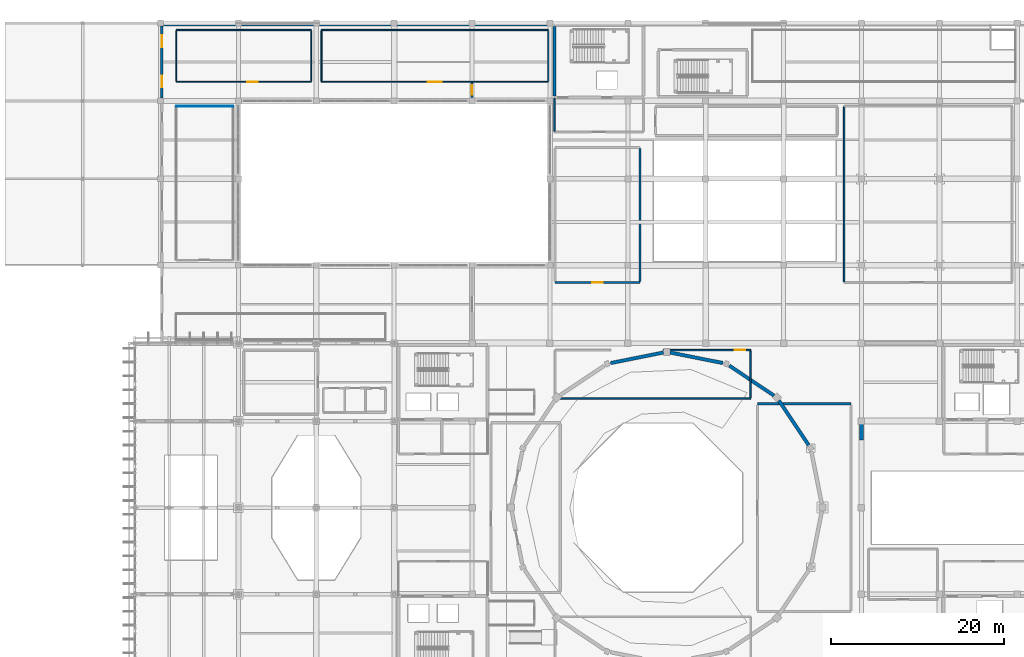
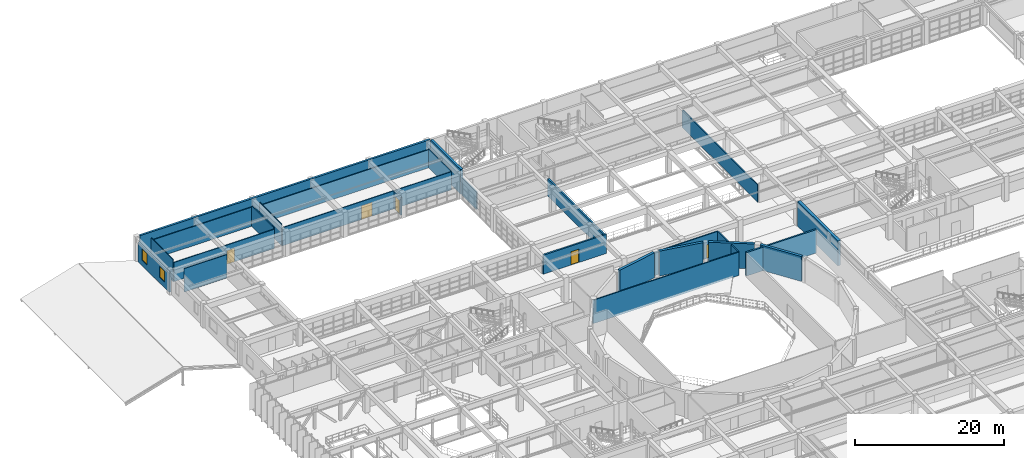
# One storey, part 114 of 130: 26 walls, 5 doors, 2 windows, 7 openings.
"""IFC4 building model written with IfcOpenShell, lengths in metres."""

from ifc_helpers import new_model, si_unit, direction, frame, frame_2d, origin, place, context, subcontext, project, spatial, rectangle, extrude, material, layer, layer_set, type_object, element, fill, save


model = new_model("IFC4")

# Units and contexts
model_context = context("Model", 3, precision=1e-05, world=origin(), true_north=direction((0.0, 1.0)))
body_context = subcontext(model_context, "Body", "Model", "MODEL_VIEW")
ifc_project = project(units=[si_unit("LENGTHUNIT", "METRE"), si_unit("AREAUNIT", "SQUARE_METRE"), si_unit("VOLUMEUNIT", "CUBIC_METRE"), si_unit("PLANEANGLEUNIT", "RADIAN"), si_unit("MASSUNIT", "GRAM", prefix="KILO")], contexts=[model_context])

# Site, building, storey
site_placement = place(None, origin())
site = spatial("IfcSite", under=ifc_project, at=site_placement, CompositionType="ELEMENT")
building_placement = place(site_placement, origin())
building = spatial("IfcBuilding", under=site, at=building_placement, Name="Miravela Opera House", CompositionType="ELEMENT")
storey_placement = place(building_placement, frame((0.0, 0.0, 9.52001953125)))
storey = spatial("IfcBuildingStorey", under=building, at=storey_placement, Name="L02", CompositionType="ELEMENT", Elevation=9.52001953125)

# Wall, openings, windows
ifc_material_1 = material(Name="Insulated cream lime-stuccoed masonry", Category="masonry")
ifc_layer_1 = layer(ifc_material_1, 0.2900390625)
ifc_layer_set_1 = layer_set([ifc_layer_1])
wall_type_1 = type_object("IfcWallType", Name="ARC-EW-STUCCO-290", PredefinedType="STANDARD", material=ifc_layer_set_1)
wall_1_placement = place(storey_placement, frame((18.14990234375, 103.324951171875, 0.0), z_axis=(0.0, 0.0, 1.0), x_axis=(0.0, 1.0, 0.0)))
wall_1 = element("IfcWall", 1, at=wall_1_placement, inside=storey, type_object=wall_type_1, Name="Spanish Colonial Stucco Facade Wall L02-029", PredefinedType="STANDARD", context=body_context, shape_type="SweptSolid", body=[
    extrude(rectangle(XDim=8.35009765625, YDim=0.2900390625, at=frame_2d((4.175048828125, 0.0))), origin(), (0.0, 0.0, 1.0), 3.169921875),
])
opening_1_placement = place(wall_1_placement, frame((1.22509765625, 0.0, 0.89990234375)))
opening_1 = element("IfcOpeningElement", 2, at=opening_1_placement, cuts=wall_1, Name="Opening W-16", PredefinedType="OPENING", context=body_context, shape_type="SweptSolid", body=[
    extrude(rectangle(XDim=1.35009765625, YDim=1.85009765625, at=frame_2d((0.675048828125, 0.925048828125))), frame((0.0, 0.155029296875, 0.0), z_axis=(0.0, -1.0, 0.0), x_axis=(1.0, 0.0, 0.0)), (0.0, 0.0, 1.0), 0.31005859375),
])
opening_2_placement = place(wall_1_placement, frame((5.89990234375, 0.0, 0.89990234375)))
opening_2 = element("IfcOpeningElement", 3, at=opening_2_placement, cuts=wall_1, Name="Opening W-16", PredefinedType="OPENING", context=body_context, shape_type="SweptSolid", body=[
    extrude(rectangle(XDim=1.35009765625, YDim=1.85009765625, at=frame_2d((0.675048828125, 0.925048828125))), frame((0.0, 0.155029296875, 0.0), z_axis=(0.0, -1.0, 0.0), x_axis=(1.0, 0.0, 0.0)), (0.0, 0.0, 1.0), 0.31005859375),
])
ifc_material_2 = material(Name="Bronze-anodised aluminium and acoustic low-E glass", Category="aluminium")
window_type = type_object("IfcWindowType", Name="ARC-WIN-16", PartitioningType="SINGLE_PANEL", PredefinedType="WINDOW", material=ifc_material_2)
window_1_placement = place(opening_1_placement, origin())
window_1 = element("IfcWindow", 4, at=window_1_placement, inside=storey, type_object=window_type, Name="Window W-16 #081", OverallHeight=1.85009765625, OverallWidth=1.35009765625, PartitioningType="SINGLE_PANEL", PredefinedType="WINDOW", context=body_context, shape_type="SweptSolid", body=[
    extrude(rectangle(XDim=1.35009765625, YDim=1.85009765625, at=frame_2d((0.675048828125, 0.925048828125))), frame((0.0, 0.030029296875, 0.0), z_axis=(0.0, -1.0, 0.0), x_axis=(1.0, 0.0, 0.0)), (0.0, 0.0, 1.0), 0.06005859375),
])
fill(opening_1, window_1)
window_2_placement = place(opening_2_placement, origin())
window_2 = element("IfcWindow", 5, at=window_2_placement, inside=storey, type_object=window_type, Name="Window W-16 #082", OverallHeight=1.85009765625, OverallWidth=1.35009765625, PartitioningType="SINGLE_PANEL", PredefinedType="WINDOW", context=body_context, shape_type="SweptSolid", body=[
    extrude(rectangle(XDim=1.35009765625, YDim=1.85009765625, at=frame_2d((0.675048828125, 0.925048828125))), frame((0.0, 0.030029296875, 0.0), z_axis=(0.0, -1.0, 0.0), x_axis=(1.0, 0.0, 0.0)), (0.0, 0.0, 1.0), 0.06005859375),
])
fill(opening_2, window_2)

# Wall
ifc_material_3 = material(Name="Double-layer acoustic gypsum partition")
ifc_layer_2 = layer(ifc_material_3, 0.110107421875)
ifc_layer_set_2 = layer_set([ifc_layer_2])
wall_type_2 = type_object("IfcWallType", Name="ARC-PT-110", PredefinedType="PARTITIONING", material=ifc_layer_set_2)
wall_2_placement = place(storey_placement, frame((19.800048828125, 102.39990234375, 0.0), z_axis=(0.0, 0.0, 1.0), x_axis=(1.0, 0.0, 0.0)))
element("IfcWall", 6, at=wall_2_placement, inside=storey, type_object=wall_type_2, Name="Harp and Keyboard Practice Studio Partition North", PredefinedType="PARTITIONING", context=body_context, shape_type="SweptSolid", body=[
    extrude(rectangle(XDim=6.599853515625, YDim=0.110107421875, at=frame_2d((3.2998046875, 0.0))), origin(), (0.0, 0.0, 1.0), 3.840087890625),
])

# Wall, opening, door
ifc_material_4 = material(Name="Fire-rated acoustic gypsum partition")
ifc_layer_3 = layer(ifc_material_4, 0.1298828125)
ifc_layer_set_3 = layer_set([ifc_layer_3])
wall_type_3 = type_object("IfcWallType", Name="ARC-PT-130", PredefinedType="PARTITIONING", material=ifc_layer_set_3)
wall_3_placement = place(storey_placement, frame((36.60009765625, 105.199951171875, 0.0), z_axis=(0.0, 0.0, 1.0), x_axis=(1.0, 0.0, 0.0)))
wall_3 = element("IfcWall", 7, at=wall_3_placement, inside=storey, type_object=wall_type_3, Name="Orchestra Rehearsal Hall Partition South", PredefinedType="PARTITIONING", context=body_context, shape_type="SweptSolid", body=[
    extrude(rectangle(XDim=26.199951171875, YDim=0.1298828125, at=frame_2d((13.10009765625, 0.0))), origin(), (0.0, 0.0, 1.0), 2.969970703125),
])
opening_3_placement = place(wall_3_placement, frame((12.300048828125, 0.0, 0.0)))
opening_3 = element("IfcOpeningElement", 8, at=opening_3_placement, cuts=wall_3, Name="Opening FD-04", PredefinedType="OPENING", context=body_context, shape_type="SweptSolid", body=[
    extrude(rectangle(XDim=1.60009765625, YDim=2.25, at=frame_2d((0.800048828125, 1.125))), frame((0.0, 0.074951171875, 0.0), z_axis=(0.0, -1.0, 0.0), x_axis=(1.0, 0.0, 0.0)), (0.0, 0.0, 1.0), 0.14990234375),
])
ifc_material_5 = material(Name="Fire-rated rehearsal/vomitory double door")
door_type_1 = type_object("IfcDoorType", Name="ARC-FD-1600X2250", OperationType="NOTDEFINED", PredefinedType="DOOR", material=ifc_material_5)
door_1_placement = place(opening_3_placement, origin())
door_1 = element("IfcDoor", 9, at=door_1_placement, inside=storey, type_object=door_type_1, Name="Orchestra Rehearsal Hall Entry Door IDR-L02-0229", OperationType="DOUBLE_DOOR_SINGLE_SWING", OverallHeight=2.25, OverallWidth=1.60009765625, PredefinedType="DOOR", context=body_context, shape_type="SweptSolid", body=[
    extrude(rectangle(XDim=1.60009765625, YDim=2.25, at=frame_2d((0.800048828125, 1.125))), frame((0.0, 0.02490234375, 0.0), z_axis=(0.0, -1.0, 0.0), x_axis=(1.0, 0.0, 0.0)), (0.0, 0.0, 1.0), 0.050048828125),
])
fill(opening_3, door_1)

# Walls
wall_4_placement = place(storey_placement, frame((36.60009765625, 111.199951171875, 0.0), z_axis=(0.0, 0.0, 1.0), x_axis=(1.0, 0.0, 0.0)))
element("IfcWall", 10, at=wall_4_placement, inside=storey, type_object=wall_type_3, Name="Orchestra Rehearsal Hall Partition North", PredefinedType="PARTITIONING", context=body_context, shape_type="SweptSolid", body=[
    extrude(rectangle(XDim=26.199951171875, YDim=0.1298828125, at=frame_2d((13.10009765625, 0.0))), origin(), (0.0, 0.0, 1.0), 2.969970703125),
])
wall_5_placement = place(storey_placement, frame((36.60009765625, 105.264892578125, 0.0), z_axis=(0.0, 0.0, 1.0), x_axis=(0.0, 1.0, 0.0)))
element("IfcWall", 11, at=wall_5_placement, inside=storey, type_object=wall_type_3, Name="Orchestra Rehearsal Hall Partition West", PredefinedType="PARTITIONING", context=body_context, shape_type="SweptSolid", body=[
    extrude(rectangle(XDim=5.8701171875, YDim=0.1298828125, at=frame_2d((2.93505859375, 0.0))), origin(), (0.0, 0.0, 1.0), 3.511962890625),
])
wall_6_placement = place(storey_placement, frame((62.800048828125, 105.264892578125, 0.0), z_axis=(0.0, 0.0, 1.0), x_axis=(0.0, 1.0, 0.0)))
element("IfcWall", 12, at=wall_6_placement, inside=storey, type_object=wall_type_3, Name="Orchestra Rehearsal Hall Partition East", PredefinedType="PARTITIONING", context=body_context, shape_type="SweptSolid", body=[
    extrude(rectangle(XDim=5.8701171875, YDim=0.1298828125, at=frame_2d((2.93505859375, 0.0))), origin(), (0.0, 0.0, 1.0), 3.119873046875),
])

# Wall, opening, door
wall_7_placement = place(storey_placement, frame((19.800048828125, 105.199951171875, 0.0), z_axis=(0.0, 0.0, 1.0), x_axis=(1.0, 0.0, 0.0)))
wall_7 = element("IfcWall", 13, at=wall_7_placement, inside=storey, type_object=wall_type_3, Name="Production Technical Office Suite Partition South", PredefinedType="PARTITIONING", context=body_context, shape_type="SweptSolid", body=[
    extrude(rectangle(XDim=15.599853515625, YDim=0.1298828125, at=frame_2d((7.7998046875, 0.0))), origin(), (0.0, 0.0, 1.0), 3.139892578125),
])
opening_4_placement = place(wall_7_placement, frame((8.217041015625, 0.0, 0.0)))
opening_4 = element("IfcOpeningElement", 14, at=opening_4_placement, cuts=wall_7, Name="Opening ID-04", PredefinedType="OPENING", context=body_context, shape_type="SweptSolid", body=[
    extrude(rectangle(XDim=1.199951171875, YDim=2.199951171875, at=frame_2d((0.60009765625, 1.10009765625))), frame((0.0, 0.074951171875, 0.0), z_axis=(0.0, -1.0, 0.0), x_axis=(1.0, 0.0, 0.0)), (0.0, 0.0, 1.0), 0.14990234375),
])
ifc_material_6 = material(Name="Wide acoustic ensemble door")
door_type_2 = type_object("IfcDoorType", Name="ARC-DR-1200X2200", OperationType="NOTDEFINED", PredefinedType="DOOR", material=ifc_material_6)
door_2_placement = place(opening_4_placement, origin())
door_2 = element("IfcDoor", 15, at=door_2_placement, inside=storey, type_object=door_type_2, Name="Production Technical Office Suite Entry Door IDR-L02-0256", OperationType="SINGLE_SWING_RIGHT", OverallHeight=2.199951171875, OverallWidth=1.199951171875, PredefinedType="DOOR", context=body_context, shape_type="SweptSolid", body=[
    extrude(rectangle(XDim=1.199951171875, YDim=2.199951171875, at=frame_2d((0.60009765625, 1.10009765625))), frame((0.0, 0.02490234375, 0.0), z_axis=(0.0, -1.0, 0.0), x_axis=(1.0, 0.0, 0.0)), (0.0, 0.0, 1.0), 0.050048828125),
])
fill(opening_4, door_2)

# Walls
wall_8_placement = place(storey_placement, frame((19.800048828125, 111.199951171875, 0.0), z_axis=(0.0, 0.0, 1.0), x_axis=(1.0, 0.0, 0.0)))
element("IfcWall", 16, at=wall_8_placement, inside=storey, type_object=wall_type_3, Name="Production Technical Office Suite Partition North", PredefinedType="PARTITIONING", context=body_context, shape_type="SweptSolid", body=[
    extrude(rectangle(XDim=15.599853515625, YDim=0.1298828125, at=frame_2d((7.7998046875, 0.0))), origin(), (0.0, 0.0, 1.0), 3.139892578125),
])
wall_9_placement = place(storey_placement, frame((19.800048828125, 105.264892578125, 0.0), z_axis=(0.0, 0.0, 1.0), x_axis=(0.0, 1.0, 0.0)))
element("IfcWall", 17, at=wall_9_placement, inside=storey, type_object=wall_type_3, Name="Production Technical Office Suite Partition West", PredefinedType="PARTITIONING", context=body_context, shape_type="SweptSolid", body=[
    extrude(rectangle(XDim=5.8701171875, YDim=0.1298828125, at=frame_2d((2.93505859375, 0.0))), origin(), (0.0, 0.0, 1.0), 3.56689453125),
])
wall_10_placement = place(storey_placement, frame((35.39990234375, 105.264892578125, 0.0), z_axis=(0.0, 0.0, 1.0), x_axis=(0.0, 1.0, 0.0)))
element("IfcWall", 18, at=wall_10_placement, inside=storey, type_object=wall_type_3, Name="Production Technical Office Suite Partition East", PredefinedType="PARTITIONING", context=body_context, shape_type="SweptSolid", body=[
    extrude(rectangle(XDim=5.8701171875, YDim=0.1298828125, at=frame_2d((2.93505859375, 0.0))), origin(), (0.0, 0.0, 1.0), 3.35986328125),
])
ifc_material_7 = material(Name="Rehearsal isolated acoustic partition")
ifc_layer_4 = layer(ifc_material_7, 0.169921875)
ifc_layer_set_4 = layer_set([ifc_layer_4])
wall_type_4 = type_object("IfcWallType", Name="ARC-PT-170", PredefinedType="PARTITIONING", material=ifc_layer_set_4)
wall_11_placement = place(storey_placement, frame((63.5, 99.485107421875, 0.0), z_axis=(0.0, 0.0, 1.0), x_axis=(0.0, 1.0, 0.0)))
element("IfcWall", 19, at=wall_11_placement, inside=storey, type_object=wall_type_4, Name="Passenger Lift Lobby K5 L02 Partition West", PredefinedType="PARTITIONING", context=body_context, shape_type="SweptSolid", body=[
    extrude(rectangle(XDim=3.829833984375, YDim=0.169921875, at=frame_2d((1.9150390625, 0.0))), origin(), (0.0, 0.0, 1.0), 2.820068359375),
])
wall_12_placement = place(storey_placement, frame((97.0, 82.0849609375, 0.0), z_axis=(0.0, 0.0, 1.0), x_axis=(0.0, 1.0, 0.0)))
element("IfcWall", 20, at=wall_12_placement, inside=storey, type_object=wall_type_4, Name="Studio Balcony Seating Tier Partition West", PredefinedType="PARTITIONING", context=body_context, shape_type="SweptSolid", body=[
    extrude(rectangle(XDim=20.22998046875, YDim=0.169921875, at=frame_2d((10.114990234375, 0.0))), origin(), (0.0, 0.0, 1.0), 2.820068359375),
])
wall_13_placement = place(storey_placement, frame((63.60009765625, 68.60009765625, 0.0), z_axis=(0.0, 0.0, 1.0), x_axis=(1.0, 0.0, 0.0)))
element("IfcWall", 21, at=wall_13_placement, inside=storey, type_object=wall_type_4, Name="Principal Musician Ensemble Dressing Rooms Partition South", PredefinedType="PARTITIONING", context=body_context, shape_type="SweptSolid", body=[
    extrude(rectangle(XDim=22.599853515625, YDim=0.169921875, at=frame_2d((11.2998046875, 0.0))), origin(), (0.0, 0.0, 1.0), 3.840087890625),
])

# Wall, opening, door
wall_14_placement = place(storey_placement, frame((76.107666015625, 74.199951171875, 0.0), z_axis=(0.0, 0.0, 1.0), x_axis=(1.0, 0.0, 0.0)))
wall_14 = element("IfcWall", 22, at=wall_14_placement, inside=storey, type_object=wall_type_4, Name="Principal Musician Ensemble Dressing Rooms Partition North 2", PredefinedType="PARTITIONING", context=body_context, shape_type="SweptSolid", body=[
    extrude(rectangle(XDim=10.09228515625, YDim=0.169921875, at=frame_2d((5.046142578125, 0.0))), origin(), (0.0, 0.0, 1.0), 3.840087890625),
])
opening_5_placement = place(wall_14_placement, frame((8.27099609375, 0.0, 0.0)))
opening_5 = element("IfcOpeningElement", 23, at=opening_5_placement, cuts=wall_14, Name="Opening ID-04", PredefinedType="OPENING", context=body_context, shape_type="SweptSolid", body=[
    extrude(rectangle(XDim=1.199951171875, YDim=2.199951171875, at=frame_2d((0.60009765625, 1.10009765625))), frame((0.0, 0.094970703125, 0.0), z_axis=(0.0, -1.0, 0.0), x_axis=(1.0, 0.0, 0.0)), (0.0, 0.0, 1.0), 0.18994140625),
])
door_3_placement = place(opening_5_placement, origin())
door_3 = element("IfcDoor", 24, at=door_3_placement, inside=storey, type_object=door_type_2, Name="Principal Musician Ensemble Dressing Rooms Entry Door IDR-L02-0249", OperationType="SINGLE_SWING_LEFT", OverallHeight=2.199951171875, OverallWidth=1.199951171875, PredefinedType="DOOR", context=body_context, shape_type="SweptSolid", body=[
    extrude(rectangle(XDim=1.199951171875, YDim=2.199951171875, at=frame_2d((0.60009765625, 1.10009765625))), frame((0.0, 0.02490234375, 0.0), z_axis=(0.0, -1.0, 0.0), x_axis=(1.0, 0.0, 0.0)), (0.0, 0.0, 1.0), 0.050048828125),
])
fill(opening_5, door_3)

# Wall
wall_15_placement = place(storey_placement, frame((86.199951171875, 68.68505859375, 0.0), z_axis=(0.0, 0.0, 1.0), x_axis=(0.0, 1.0, 0.0)))
element("IfcWall", 25, at=wall_15_placement, inside=storey, type_object=wall_type_4, Name="Principal Musician Ensemble Dressing Rooms Partition East", PredefinedType="PARTITIONING", context=body_context, shape_type="SweptSolid", body=[
    extrude(rectangle(XDim=5.429931640625, YDim=0.169921875, at=frame_2d((2.71484375, 0.0))), origin(), (0.0, 0.0, 1.0), 3.840087890625),
])

# Wall, opening, door
ifc_material_8 = material(Name="Corridor fire-resisting masonry partition", Category="masonry")
ifc_layer_5 = layer(ifc_material_8, 0.18994140625)
ifc_layer_set_5 = layer_set([ifc_layer_5])
wall_type_5 = type_object("IfcWallType", Name="ARC-PT-190", PredefinedType="PARTITIONING", material=ifc_layer_set_5)
wall_16_placement = place(storey_placement, frame((54.0, 103.3798828125, 0.0), z_axis=(0.0, 0.0, 1.0), x_axis=(0.0, 1.0, 0.0)))
wall_16 = element("IfcWall", 26, at=wall_16_placement, inside=storey, type_object=wall_type_5, Name="Corridor Fire Smoke Compartment Partition PT-SMOKE-L02-0965", PredefinedType="PARTITIONING", context=body_context, shape_type="SweptSolid", body=[
    extrude(rectangle(XDim=1.740234375, YDim=0.18994140625, at=frame_2d((0.8701171875, 0.0))), origin(), (0.0, 0.0, 1.0), 2.919921875),
])
opening_6_placement = place(wall_16_placement, frame((0.320068359375, 0.0, 0.0)))
opening_6 = element("IfcOpeningElement", 27, at=opening_6_placement, cuts=wall_16, Name="Opening FD-01", PredefinedType="OPENING", context=body_context, shape_type="SweptSolid", body=[
    extrude(rectangle(XDim=1.10009765625, YDim=2.199951171875, at=frame_2d((0.550048828125, 1.10009765625))), frame((0.0, 0.10498046875, 0.0), z_axis=(0.0, -1.0, 0.0), x_axis=(1.0, 0.0, 0.0)), (0.0, 0.0, 1.0), 0.2099609375),
])
ifc_material_9 = material(Name="Fire-rated steel/hardwood exit stair door", Category="steel")
door_type_3 = type_object("IfcDoorType", Name="ARC-FD-1100X2200", OperationType="NOTDEFINED", PredefinedType="DOOR", material=ifc_material_9)
door_4_placement = place(opening_6_placement, frame((1.10009765625, 0.0, 0.0), z_axis=(0.0, 0.0, 1.0), x_axis=(-1.0, 0.0, 0.0)))
door_4 = element("IfcDoor", 28, at=door_4_placement, inside=storey, type_object=door_type_3, Name="Corridor Smoke Compartment Door 09 IDR-L02-0355", OperationType="SINGLE_SWING_LEFT", OverallHeight=2.199951171875, OverallWidth=1.10009765625, PredefinedType="DOOR", context=body_context, shape_type="SweptSolid", body=[
    extrude(rectangle(XDim=1.10009765625, YDim=2.199951171875, at=frame_2d((0.550048828125, 1.10009765625))), frame((0.0, 0.02490234375, 0.0), z_axis=(0.0, -1.0, 0.0), x_axis=(1.0, 0.0, 0.0)), (0.0, 0.0, 1.0), 0.050048828125),
])
fill(opening_6, door_4)

# Wall
ifc_material_10 = material(Name="Firefighting lobby compartment wall")
ifc_layer_6 = layer(ifc_material_10, 0.25)
ifc_layer_set_6 = layer_set([ifc_layer_6])
wall_type_6 = type_object("IfcWallType", Name="ARC-PT-220", PredefinedType="PARTITIONING", material=ifc_layer_set_6)
wall_17_placement = place(storey_placement, frame((87.0, 68.0, 0.0), z_axis=(0.0, 0.0, 1.0), x_axis=(1.0, 0.0, 0.0)))
element("IfcWall", 29, at=wall_17_placement, inside=storey, type_object=wall_type_6, Name="Opera Auditorium Dress Circle Partition North", PredefinedType="PARTITIONING", context=body_context, shape_type="SweptSolid", body=[
    extrude(rectangle(XDim=10.800048828125, YDim=0.25, at=frame_2d((5.39990234375, 0.0))), origin(), (0.0, 0.0, 1.0), 3.840087890625),
])

# Wall, opening, door
wall_18_placement = place(storey_placement, frame((63.60009765625, 82.0, 0.0), z_axis=(0.0, 0.0, 1.0), x_axis=(1.0, 0.0, 0.0)))
wall_18 = element("IfcWall", 30, at=wall_18_placement, inside=storey, type_object=wall_type_6, Name="Orchestral Brass and Percussion Studio Partition South", PredefinedType="PARTITIONING", context=body_context, shape_type="SweptSolid", body=[
    extrude(rectangle(XDim=9.7998046875, YDim=0.25, at=frame_2d((4.89990234375, 0.0))), origin(), (0.0, 0.0, 1.0), 3.119873046875),
])
opening_7_placement = place(wall_18_placement, frame((4.300048828125, 0.0, 0.0)))
opening_7 = element("IfcOpeningElement", 31, at=opening_7_placement, cuts=wall_18, Name="Opening ID-04", PredefinedType="OPENING", context=body_context, shape_type="SweptSolid", body=[
    extrude(rectangle(XDim=1.199951171875, YDim=2.199951171875, at=frame_2d((0.60009765625, 1.10009765625))), frame((0.0, 0.135009765625, 0.0), z_axis=(0.0, -1.0, 0.0), x_axis=(1.0, 0.0, 0.0)), (0.0, 0.0, 1.0), 0.27001953125),
])
door_5_placement = place(opening_7_placement, frame((1.199951171875, 0.0, 0.0), z_axis=(0.0, 0.0, 1.0), x_axis=(-1.0, 0.0, 0.0)))
door_5 = element("IfcDoor", 32, at=door_5_placement, inside=storey, type_object=door_type_2, Name="Orchestral Brass and Percussion Studio Entry Door IDR-L02-0244", OperationType="SINGLE_SWING_LEFT", OverallHeight=2.199951171875, OverallWidth=1.199951171875, PredefinedType="DOOR", context=body_context, shape_type="SweptSolid", body=[
    extrude(rectangle(XDim=1.199951171875, YDim=2.199951171875, at=frame_2d((0.60009765625, 1.10009765625))), frame((0.0, 0.02490234375, 0.0), z_axis=(0.0, -1.0, 0.0), x_axis=(1.0, 0.0, 0.0)), (0.0, 0.0, 1.0), 0.050048828125),
])
fill(opening_7, door_5)

# Walls
wall_19_placement = place(storey_placement, frame((73.39990234375, 82.125, 0.0), z_axis=(0.0, 0.0, 1.0), x_axis=(0.0, 1.0, 0.0)))
element("IfcWall", 33, at=wall_19_placement, inside=storey, type_object=wall_type_6, Name="Orchestral Brass and Percussion Studio Partition East", PredefinedType="PARTITIONING", context=body_context, shape_type="SweptSolid", body=[
    extrude(rectangle(XDim=15.35009765625, YDim=0.25, at=frame_2d((7.675048828125, 0.0))), origin(), (0.0, 0.0, 1.0), 2.820068359375),
])
ifc_material_11 = material(Name="Concrete C40/50", Category="concrete")
ifc_layer_7 = layer(ifc_material_11, 0.35009765625)
ifc_layer_set_7 = layer_set([ifc_layer_7])
wall_type_7 = type_object("IfcWallType", Name="STR-WALL-CORE-350", PredefinedType="SHEAR", material=ifc_layer_set_7)
wall_20_placement = place(storey_placement, frame((63.5, 103.574951171875, 0.0), z_axis=(0.0, 0.0, 1.0), x_axis=(0.0, 1.0, 0.0)))
element("IfcWall", 34, at=wall_20_placement, inside=storey, type_object=wall_type_7, Name="Core K5 Shear Wall West (L02)", PredefinedType="SHEAR", context=body_context, shape_type="SweptSolid", body=[
    extrude(rectangle(XDim=8.050048828125, YDim=0.35009765625, at=frame_2d((4.02490234375, 0.0))), origin(), (0.0, 0.0, 1.0), 4.080078125),
])
ifc_layer_8 = layer(ifc_material_11, 0.39990234375)
ifc_layer_set_8 = layer_set([ifc_layer_8])
wall_type_8 = type_object("IfcWallType", Name="STR-WALL-DRUM-400", PredefinedType="SHEAR", material=ifc_layer_set_8)
for number, where, z_axis, x_axis, name in (
    (35, (92.90771484375, 63.220947265625, 0.0), (0.0, 0.0, 1.0), (-0.555587101324, 0.831458341015, 0.0), "Auditorium Drum Shear Wall L02 Seg 2"),
    (36, (88.895263671875, 68.9501953125, 0.0), (0.0, 0.0, 1.0), (-0.831458341015, 0.555587101324, 0.0), "Auditorium Drum Shear Wall L02 Seg 3"),
):
    element("IfcWall", number, at=place(storey_placement, frame(where, z_axis=z_axis, x_axis=x_axis)), inside=storey, type_object=wall_type_8, Name=name, PredefinedType="SHEAR", context=body_context, shape_type="SweptSolid", body=[
        extrude(rectangle(XDim=6.22314453125, YDim=0.39990234375, at=frame_2d((3.111572265625, 0.0))), origin(), (0.0, 0.0, 1.0), 4.080078125),
    ])
for number, where, z_axis, x_axis, name in (
    (37, (82.99609375, 72.707763671875, 0.0), (0.0, 0.0, 1.0), (-0.980777834218, 0.195127752786, 0.0), "Auditorium Drum Shear Wall L02 Seg 4"),
    (38, (76.107666015625, 73.922119140625, 0.0), (0.0, 0.0, 1.0), (-0.980777834218, -0.195127752786, 0.0), "Auditorium Drum Shear Wall L02 Seg 5"),
):
    element("IfcWall", number, at=place(storey_placement, frame(where, z_axis=z_axis, x_axis=x_axis)), inside=storey, type_object=wall_type_8, Name=name, PredefinedType="SHEAR", context=body_context, shape_type="SweptSolid", body=[
        extrude(rectangle(XDim=6.223388671875, YDim=0.39990234375, at=frame_2d((3.11181640625, 0.0))), origin(), (0.0, 0.0, 1.0), 4.080078125),
    ])
ifc_material_12 = material(Name="Concrete C35/45", Category="concrete")
ifc_layer_9 = layer(ifc_material_12, 0.320068359375)
ifc_layer_set_9 = layer_set([ifc_layer_9])
wall_type_9 = type_object("IfcWallType", Name="STR-WALL-PARTY-320", PredefinedType="SHEAR", material=ifc_layer_set_9)
wall_21_placement = place(storey_placement, frame((18.35009765625, 111.840087890625, 0.0), z_axis=(0.0, 0.0, 1.0), x_axis=(1.0, 0.0, 0.0)))
element("IfcWall", 39, at=wall_21_placement, inside=storey, type_object=wall_type_9, Name="North Lot-Line Blind Fire Party Wall West (L02)", PredefinedType="SHEAR", context=body_context, shape_type="SweptSolid", body=[
    extrude(rectangle(XDim=44.949951171875, YDim=0.320068359375, at=frame_2d((22.47509765625, 0.0))), origin(), (0.0, 0.0, 1.0), 4.080078125),
])
ifc_layer_10 = layer(ifc_material_11, 0.449951171875)
ifc_layer_set_10 = layer_set([ifc_layer_10])
wall_type_10 = type_object("IfcWallType", Name="STR-WALL-PROSC-450", PredefinedType="SHEAR", material=ifc_layer_set_10)
wall_22_placement = place(storey_placement, frame((99.0, 63.800048828125, 0.0), z_axis=(0.0, 0.0, 1.0), x_axis=(0.0, 1.0, 0.0)))
element("IfcWall", 40, at=wall_22_placement, inside=storey, type_object=wall_type_10, Name="Proscenium Shear Wall North (L02)", PredefinedType="SHEAR", context=body_context, shape_type="SweptSolid", body=[
    extrude(rectangle(XDim=10.75, YDim=0.449951171875, at=frame_2d((5.375, 0.0))), origin(), (0.0, 0.0, 1.0), 4.080078125),
])

save(model, "model.ifc")
